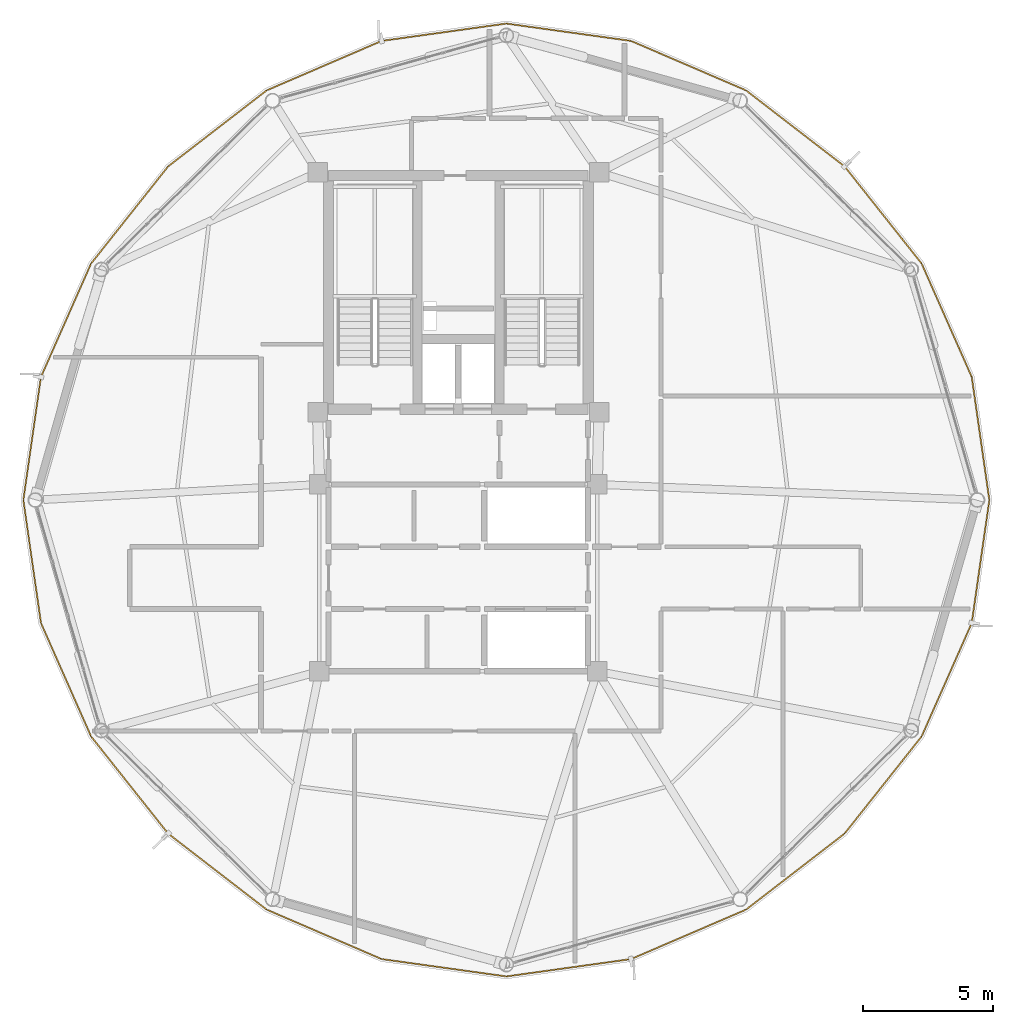
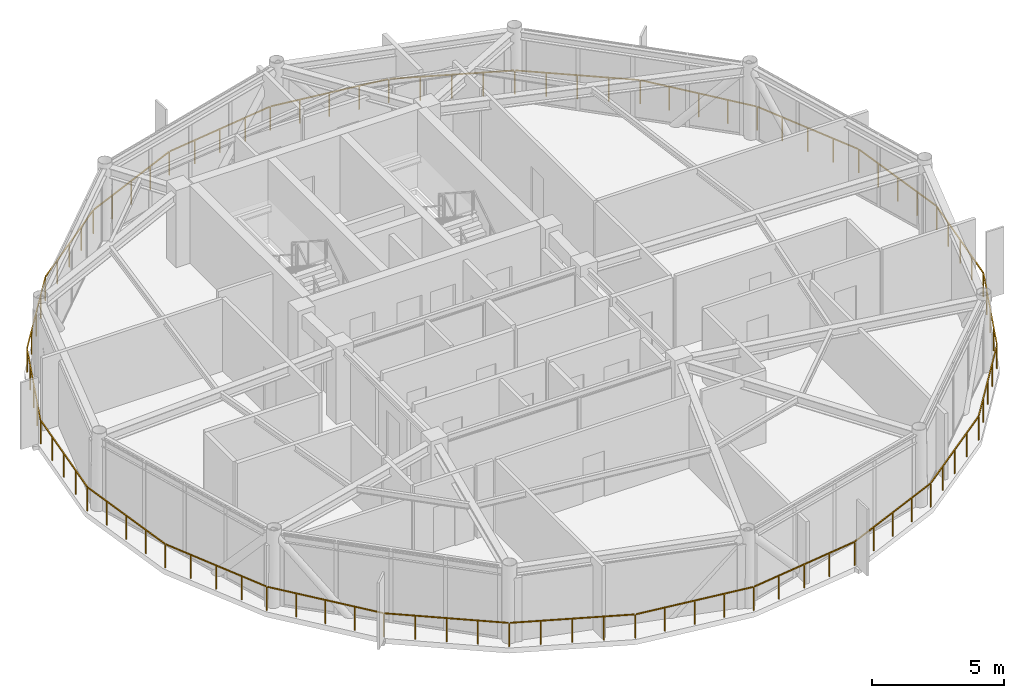
# One storey, part 25 of 26: 1 railing.
"""IFC4 building model written with IfcOpenShell, lengths in metres."""

from ifc_helpers import new_model, si_unit, direction, frame, origin, origin_2d, place, context, subcontext, project, spatial, rectangle, extrude, material, type_object, element, save


model = new_model("IFC4")

# Units and contexts
model_context = context("Model", 3, precision=1e-05, world=origin(), true_north=direction((0.0, 1.0)))
body_context = subcontext(model_context, "Body", "Model", "MODEL_VIEW")
ifc_project = project(units=[si_unit("LENGTHUNIT", "METRE"), si_unit("AREAUNIT", "SQUARE_METRE"), si_unit("VOLUMEUNIT", "CUBIC_METRE"), si_unit("PLANEANGLEUNIT", "RADIAN"), si_unit("MASSUNIT", "GRAM", prefix="KILO")], contexts=[model_context])

# Site, building, storey
site_placement = place(None, origin())
site = spatial("IfcSite", under=ifc_project, at=site_placement, CompositionType="ELEMENT")
building_placement = place(site_placement, origin())
building = spatial("IfcBuilding", under=site, at=building_placement, Name="Varnakorn Sky Granary", CompositionType="ELEMENT")
storey_placement = place(building_placement, frame((0.0, 0.0, 267.0)))
storey = spatial("IfcBuildingStorey", under=building, at=storey_placement, Name="L68", CompositionType="ELEMENT", Elevation=267.0)

# Railing
ifc_material = material(Name="Anodised Bronze Aluminium Alloy 6063-T6", Category="aluminium")
railing_type = type_object("IfcRailingType", Name="RL-BAL-1120", PredefinedType="BALUSTRADE", material=ifc_material)
railing_placement = place(storey_placement, frame((23.455078125, 0.0, 0.0)))
element("IfcRailing", 1, at=railing_placement, inside=storey, type_object=railing_type, Name="Perimeter Slab-Edge Safety Guard L68", PredefinedType="BALUSTRADE", context=body_context, shape_type="SweptSolid", body=[
    extrude(rectangle(XDim=0.048095703125, YDim=0.048095703125, at=origin_2d()), frame((-0.00390625, -0.02783203125, 1.09619140625), z_axis=(-0.141492791104, -0.98993928605, 0.0), x_axis=(0.98993928605, -0.141492791104, 0.0)), (0.0, 0.0, 1.0), 4.728759765625),
    extrude(rectangle(XDim=0.048095703125, YDim=0.048095703125, at=origin_2d()), frame((-0.688232421875, -4.76220703125, 1.09619140625), z_axis=(-0.404217532717, -0.914662881199, 0.0), x_axis=(0.914662881199, -0.404217532717, 0.0)), (0.0, 0.0, 1.0), 4.72216796875),
    extrude(rectangle(XDim=0.048095703125, YDim=0.048095703125, at=origin_2d()), frame((-2.625732421875, -9.12890625, 1.09619140625), z_axis=(-0.62131680244, -0.783559462329, 0.0), x_axis=(0.783559462329, -0.62131680244, 0.0)), (0.0, 0.0, 1.0), 4.72021484375),
    extrude(rectangle(XDim=0.048095703125, YDim=0.048095703125, at=origin_2d()), frame((-5.59814453125, -12.866455078125, 1.09619140625), z_axis=(-0.791740725892, -0.610857285267, 0.0), x_axis=(0.610857285267, -0.791740725892, 0.0)), (0.0, 0.0, 1.0), 4.73681640625),
    extrude(rectangle(XDim=0.048095703125, YDim=0.048095703125, at=origin_2d()), frame((-9.396240234375, -15.7880859375, 1.09619140625), z_axis=(-0.918610228593, -0.395164836395, 0.0), x_axis=(0.395164836395, -0.918610228593, 0.0)), (0.0, 0.0, 1.0), 4.7685546875),
    extrude(rectangle(XDim=0.048095703125, YDim=0.048095703125, at=origin_2d()), frame((-13.830322265625, -17.6875, 1.09619140625), z_axis=(-0.990451636825, -0.137860636553, 0.0), x_axis=(0.137860636553, -0.990451636825, 0.0)), (0.0, 0.0, 1.0), 4.792724609375),
    extrude(rectangle(XDim=0.048095703125, YDim=0.048095703125, at=origin_2d()), frame((-18.6328125, -18.34814453125, 1.09619140625), z_axis=(-0.990452593699, 0.13785376177, 0.0), x_axis=(-0.13785376177, -0.990452593699, 0.0)), (0.0, 0.0, 1.0), 4.79296875),
    extrude(rectangle(XDim=0.048095703125, YDim=0.048095703125, at=origin_2d()), frame((-23.433349609375, -17.672607421875, 1.09619140625), z_axis=(-0.918610228593, 0.395164836395, 0.0), x_axis=(-0.395164836395, -0.918610228593, 0.0)), (0.0, 0.0, 1.0), 4.7685546875),
    extrude(rectangle(XDim=0.048095703125, YDim=0.048095703125, at=origin_2d()), frame((-27.86181640625, -15.760009765625, 1.09619140625), z_axis=(-0.791740725892, 0.610857285267, 0.0), x_axis=(-0.610857285267, -0.791740725892, 0.0)), (0.0, 0.0, 1.0), 4.73681640625),
    extrude(rectangle(XDim=0.048095703125, YDim=0.048095703125, at=origin_2d()), frame((-31.651611328125, -12.827392578125, 1.09619140625), z_axis=(-0.62131680244, 0.783559462329, 0.0), x_axis=(-0.783559462329, -0.62131680244, 0.0)), (0.0, 0.0, 1.0), 4.72021484375),
    extrude(rectangle(XDim=0.048095703125, YDim=0.048095703125, at=origin_2d()), frame((-34.613037109375, -9.081298828125, 1.09619140625), z_axis=(-0.404217532717, 0.914662881199, 0.0), x_axis=(-0.914662881199, -0.404217532717, 0.0)), (0.0, 0.0, 1.0), 4.72216796875),
    extrude(rectangle(XDim=0.048095703125, YDim=0.048095703125, at=origin_2d()), frame((-36.537109375, -4.708740234375, 1.09619140625), z_axis=(-0.141442786929, 0.989946431897, 0.0), x_axis=(-0.989946431897, -0.141442786929, 0.0)), (0.0, 0.0, 1.0), 4.728759765625),
    extrude(rectangle(XDim=0.048095703125, YDim=0.048095703125, at=origin_2d()), frame((-37.2060546875, 0.02783203125, 1.09619140625), z_axis=(0.141442786929, 0.989946431897, 0.0), x_axis=(-0.989946431897, 0.141442786929, 0.0)), (0.0, 0.0, 1.0), 4.728759765625),
    extrude(rectangle(XDim=0.048095703125, YDim=0.048095703125, at=origin_2d()), frame((-36.52197265625, 4.76220703125, 1.09619140625), z_axis=(0.404217532717, 0.914662881199, 0.0), x_axis=(-0.914662881199, 0.404217532717, 0.0)), (0.0, 0.0, 1.0), 4.72216796875),
    extrude(rectangle(XDim=0.048095703125, YDim=0.048095703125, at=origin_2d()), frame((-34.58447265625, 9.12890625, 1.09619140625), z_axis=(0.62131680244, 0.783559462329, 0.0), x_axis=(-0.783559462329, 0.62131680244, 0.0)), (0.0, 0.0, 1.0), 4.72021484375),
    extrude(rectangle(XDim=0.048095703125, YDim=0.048095703125, at=origin_2d()), frame((-31.612060546875, 12.866455078125, 1.09619140625), z_axis=(0.791740725892, 0.610857285267, 0.0), x_axis=(-0.610857285267, 0.791740725892, 0.0)), (0.0, 0.0, 1.0), 4.73681640625),
    extrude(rectangle(XDim=0.048095703125, YDim=0.048095703125, at=origin_2d()), frame((-27.81396484375, 15.7880859375, 1.09619140625), z_axis=(0.918610228593, 0.395164836395, 0.0), x_axis=(-0.395164836395, 0.918610228593, 0.0)), (0.0, 0.0, 1.0), 4.7685546875),
    extrude(rectangle(XDim=0.048095703125, YDim=0.048095703125, at=origin_2d()), frame((-23.3798828125, 17.6875, 1.09619140625), z_axis=(0.990452593699, 0.13785376177, 0.0), x_axis=(-0.13785376177, 0.990452593699, 0.0)), (0.0, 0.0, 1.0), 4.79296875),
    extrude(rectangle(XDim=0.048095703125, YDim=0.048095703125, at=origin_2d()), frame((-18.5771484375, 18.34814453125, 1.09619140625), z_axis=(0.990451636825, -0.137860636553, 0.0), x_axis=(0.137860636553, 0.990451636825, 0.0)), (0.0, 0.0, 1.0), 4.792724609375),
    extrude(rectangle(XDim=0.048095703125, YDim=0.048095703125, at=origin_2d()), frame((-13.77685546875, 17.672607421875, 1.09619140625), z_axis=(0.918610228593, -0.395164836395, 0.0), x_axis=(0.395164836395, 0.918610228593, 0.0)), (0.0, 0.0, 1.0), 4.7685546875),
    extrude(rectangle(XDim=0.048095703125, YDim=0.048095703125, at=origin_2d()), frame((-9.348388671875, 15.760009765625, 1.09619140625), z_axis=(0.791740725892, -0.610857285267, 0.0), x_axis=(0.610857285267, 0.791740725892, 0.0)), (0.0, 0.0, 1.0), 4.73681640625),
    extrude(rectangle(XDim=0.048095703125, YDim=0.048095703125, at=origin_2d()), frame((-5.55859375, 12.827392578125, 1.09619140625), z_axis=(0.62131680244, -0.783559462329, 0.0), x_axis=(0.783559462329, 0.62131680244, 0.0)), (0.0, 0.0, 1.0), 4.72021484375),
    extrude(rectangle(XDim=0.048095703125, YDim=0.048095703125, at=origin_2d()), frame((-2.59716796875, 9.081298828125, 1.09619140625), z_axis=(0.404217532717, -0.914662881199, 0.0), x_axis=(0.914662881199, 0.404217532717, 0.0)), (0.0, 0.0, 1.0), 4.72216796875),
    extrude(rectangle(XDim=0.048095703125, YDim=0.048095703125, at=origin_2d()), frame((-0.673095703125, 4.708740234375, 1.09619140625), z_axis=(0.141492791104, -0.98993928605, 0.0), x_axis=(0.98993928605, 0.141492791104, 0.0)), (0.0, 0.0, 1.0), 4.728759765625),
    extrude(rectangle(XDim=0.0419921875, YDim=0.0419921875, at=origin_2d()), origin(), (0.0, 0.0, 1.0), 1.068115234375),
    extrude(rectangle(XDim=0.0419921875, YDim=0.0419921875, at=origin_2d()), frame((-0.169189453125, -1.18408203125, 0.0)), (0.0, 0.0, 1.0), 1.068115234375),
    extrude(rectangle(XDim=0.0419921875, YDim=0.0419921875, at=origin_2d()), frame((-0.33837890625, -2.3681640625, 0.0)), (0.0, 0.0, 1.0), 1.068115234375),
    extrude(rectangle(XDim=0.0419921875, YDim=0.0419921875, at=origin_2d()), frame((-0.5078125, -3.552490234375, 0.0)), (0.0, 0.0, 1.0), 1.068115234375),
    extrude(rectangle(XDim=0.0419921875, YDim=0.0419921875, at=origin_2d()), frame((-0.677001953125, -4.736572265625, 0.0)), (0.0, 0.0, 1.0), 1.068115234375),
    extrude(rectangle(XDim=0.0419921875, YDim=0.0419921875, at=origin_2d()), frame((-1.159912109375, -5.8291015625, 0.0)), (0.0, 0.0, 1.0), 1.068115234375),
    extrude(rectangle(XDim=0.0419921875, YDim=0.0419921875, at=origin_2d()), frame((-1.642578125, -6.921875, 0.0)), (0.0, 0.0, 1.0), 1.068115234375),
    extrude(rectangle(XDim=0.0419921875, YDim=0.0419921875, at=origin_2d()), frame((-2.12548828125, -8.014404296875, 0.0)), (0.0, 0.0, 1.0), 1.068115234375),
    extrude(rectangle(XDim=0.0419921875, YDim=0.0419921875, at=origin_2d()), frame((-2.6083984375, -9.10693359375, 0.0)), (0.0, 0.0, 1.0), 1.068115234375),
    extrude(rectangle(XDim=0.0419921875, YDim=0.0419921875, at=origin_2d()), frame((-3.350341796875, -10.04248046875, 0.0)), (0.0, 0.0, 1.0), 1.068115234375),
    extrude(rectangle(XDim=0.0419921875, YDim=0.0419921875, at=origin_2d()), frame((-4.09228515625, -10.97802734375, 0.0)), (0.0, 0.0, 1.0), 1.068115234375),
    extrude(rectangle(XDim=0.0419921875, YDim=0.0419921875, at=origin_2d()), frame((-4.833984375, -11.913818359375, 0.0)), (0.0, 0.0, 1.0), 1.068115234375),
    extrude(rectangle(XDim=0.0419921875, YDim=0.0419921875, at=origin_2d()), frame((-5.575927734375, -12.849365234375, 0.0)), (0.0, 0.0, 1.0), 1.068115234375),
    extrude(rectangle(XDim=0.0419921875, YDim=0.0419921875, at=origin_2d()), frame((-6.524658203125, -13.581298828125, 0.0)), (0.0, 0.0, 1.0), 1.068115234375),
    extrude(rectangle(XDim=0.0419921875, YDim=0.0419921875, at=origin_2d()), frame((-7.47314453125, -14.313232421875, 0.0)), (0.0, 0.0, 1.0), 1.068115234375),
    extrude(rectangle(XDim=0.0419921875, YDim=0.0419921875, at=origin_2d()), frame((-8.421875, -15.045166015625, 0.0)), (0.0, 0.0, 1.0), 1.068115234375),
    extrude(rectangle(XDim=0.0419921875, YDim=0.0419921875, at=origin_2d()), frame((-9.37060546875, -15.777099609375, 0.0)), (0.0, 0.0, 1.0), 1.068115234375),
    extrude(rectangle(XDim=0.0419921875, YDim=0.0419921875, at=origin_2d()), frame((-10.478515625, -16.253662109375, 0.0)), (0.0, 0.0, 1.0), 1.068115234375),
    extrude(rectangle(XDim=0.0419921875, YDim=0.0419921875, at=origin_2d()), frame((-11.58642578125, -16.73046875, 0.0)), (0.0, 0.0, 1.0), 1.068115234375),
    extrude(rectangle(XDim=0.0419921875, YDim=0.0419921875, at=origin_2d()), frame((-12.694580078125, -17.20703125, 0.0)), (0.0, 0.0, 1.0), 1.068115234375),
    extrude(rectangle(XDim=0.0419921875, YDim=0.0419921875, at=origin_2d()), frame((-13.802490234375, -17.68359375, 0.0)), (0.0, 0.0, 1.0), 1.068115234375),
    extrude(rectangle(XDim=0.0419921875, YDim=0.0419921875, at=origin_2d()), frame((-15.003173828125, -17.8505859375, 0.0)), (0.0, 0.0, 1.0), 1.068115234375),
    extrude(rectangle(XDim=0.0419921875, YDim=0.0419921875, at=origin_2d()), frame((-16.20361328125, -18.017822265625, 0.0)), (0.0, 0.0, 1.0), 1.068115234375),
    extrude(rectangle(XDim=0.0419921875, YDim=0.0419921875, at=origin_2d()), frame((-17.404296875, -18.18505859375, 0.0)), (0.0, 0.0, 1.0), 1.068115234375),
    extrude(rectangle(XDim=0.0419921875, YDim=0.0419921875, at=origin_2d()), frame((-18.60498046875, -18.35205078125, 0.0)), (0.0, 0.0, 1.0), 1.068115234375),
    extrude(rectangle(XDim=0.0419921875, YDim=0.0419921875, at=origin_2d()), frame((-19.8056640625, -18.18505859375, 0.0)), (0.0, 0.0, 1.0), 1.068115234375),
    extrude(rectangle(XDim=0.0419921875, YDim=0.0419921875, at=origin_2d()), frame((-21.00634765625, -18.017822265625, 0.0)), (0.0, 0.0, 1.0), 1.068115234375),
    extrude(rectangle(XDim=0.0419921875, YDim=0.0419921875, at=origin_2d()), frame((-22.20703125, -17.8505859375, 0.0)), (0.0, 0.0, 1.0), 1.068115234375),
    extrude(rectangle(XDim=0.0419921875, YDim=0.0419921875, at=origin_2d()), frame((-23.40771484375, -17.68359375, 0.0)), (0.0, 0.0, 1.0), 1.068115234375),
    extrude(rectangle(XDim=0.0419921875, YDim=0.0419921875, at=origin_2d()), frame((-24.515625, -17.20703125, 0.0)), (0.0, 0.0, 1.0), 1.068115234375),
    extrude(rectangle(XDim=0.0419921875, YDim=0.0419921875, at=origin_2d()), frame((-25.62353515625, -16.73046875, 0.0)), (0.0, 0.0, 1.0), 1.068115234375),
    extrude(rectangle(XDim=0.0419921875, YDim=0.0419921875, at=origin_2d()), frame((-26.731689453125, -16.253662109375, 0.0)), (0.0, 0.0, 1.0), 1.068115234375),
    extrude(rectangle(XDim=0.0419921875, YDim=0.0419921875, at=origin_2d()), frame((-27.839599609375, -15.777099609375, 0.0)), (0.0, 0.0, 1.0), 1.068115234375),
    extrude(rectangle(XDim=0.0419921875, YDim=0.0419921875, at=origin_2d()), frame((-28.788330078125, -15.045166015625, 0.0)), (0.0, 0.0, 1.0), 1.068115234375),
    extrude(rectangle(XDim=0.0419921875, YDim=0.0419921875, at=origin_2d()), frame((-29.73681640625, -14.313232421875, 0.0)), (0.0, 0.0, 1.0), 1.068115234375),
    extrude(rectangle(XDim=0.0419921875, YDim=0.0419921875, at=origin_2d()), frame((-30.685546875, -13.581298828125, 0.0)), (0.0, 0.0, 1.0), 1.068115234375),
    extrude(rectangle(XDim=0.0419921875, YDim=0.0419921875, at=origin_2d()), frame((-31.63427734375, -12.849365234375, 0.0)), (0.0, 0.0, 1.0), 1.068115234375),
    extrude(rectangle(XDim=0.0419921875, YDim=0.0419921875, at=origin_2d()), frame((-32.376220703125, -11.913818359375, 0.0)), (0.0, 0.0, 1.0), 1.068115234375),
    extrude(rectangle(XDim=0.0419921875, YDim=0.0419921875, at=origin_2d()), frame((-33.1181640625, -10.97802734375, 0.0)), (0.0, 0.0, 1.0), 1.068115234375),
    extrude(rectangle(XDim=0.0419921875, YDim=0.0419921875, at=origin_2d()), frame((-33.85986328125, -10.04248046875, 0.0)), (0.0, 0.0, 1.0), 1.068115234375),
    extrude(rectangle(XDim=0.0419921875, YDim=0.0419921875, at=origin_2d()), frame((-34.601806640625, -9.10693359375, 0.0)), (0.0, 0.0, 1.0), 1.068115234375),
    extrude(rectangle(XDim=0.0419921875, YDim=0.0419921875, at=origin_2d()), frame((-35.084716796875, -8.014404296875, 0.0)), (0.0, 0.0, 1.0), 1.068115234375),
    extrude(rectangle(XDim=0.0419921875, YDim=0.0419921875, at=origin_2d()), frame((-35.5673828125, -6.921875, 0.0)), (0.0, 0.0, 1.0), 1.068115234375),
    extrude(rectangle(XDim=0.0419921875, YDim=0.0419921875, at=origin_2d()), frame((-36.05029296875, -5.8291015625, 0.0)), (0.0, 0.0, 1.0), 1.068115234375),
    extrude(rectangle(XDim=0.0419921875, YDim=0.0419921875, at=origin_2d()), frame((-36.533203125, -4.736572265625, 0.0)), (0.0, 0.0, 1.0), 1.068115234375),
    extrude(rectangle(XDim=0.0419921875, YDim=0.0419921875, at=origin_2d()), frame((-36.702392578125, -3.552490234375, 0.0)), (0.0, 0.0, 1.0), 1.068115234375),
    extrude(rectangle(XDim=0.0419921875, YDim=0.0419921875, at=origin_2d()), frame((-36.87158203125, -2.3681640625, 0.0)), (0.0, 0.0, 1.0), 1.068115234375),
    extrude(rectangle(XDim=0.0419921875, YDim=0.0419921875, at=origin_2d()), frame((-37.040771484375, -1.18408203125, 0.0)), (0.0, 0.0, 1.0), 1.068115234375),
    extrude(rectangle(XDim=0.0419921875, YDim=0.0419921875, at=origin_2d()), frame((-37.2099609375, 0.0, 0.0)), (0.0, 0.0, 1.0), 1.068115234375),
    extrude(rectangle(XDim=0.0419921875, YDim=0.0419921875, at=origin_2d()), frame((-37.040771484375, 1.18408203125, 0.0)), (0.0, 0.0, 1.0), 1.068115234375),
    extrude(rectangle(XDim=0.0419921875, YDim=0.0419921875, at=origin_2d()), frame((-36.87158203125, 2.3681640625, 0.0)), (0.0, 0.0, 1.0), 1.068115234375),
    extrude(rectangle(XDim=0.0419921875, YDim=0.0419921875, at=origin_2d()), frame((-36.702392578125, 3.552490234375, 0.0)), (0.0, 0.0, 1.0), 1.068115234375),
    extrude(rectangle(XDim=0.0419921875, YDim=0.0419921875, at=origin_2d()), frame((-36.533203125, 4.736572265625, 0.0)), (0.0, 0.0, 1.0), 1.068115234375),
    extrude(rectangle(XDim=0.0419921875, YDim=0.0419921875, at=origin_2d()), frame((-36.05029296875, 5.8291015625, 0.0)), (0.0, 0.0, 1.0), 1.068115234375),
    extrude(rectangle(XDim=0.0419921875, YDim=0.0419921875, at=origin_2d()), frame((-35.5673828125, 6.921875, 0.0)), (0.0, 0.0, 1.0), 1.068115234375),
    extrude(rectangle(XDim=0.0419921875, YDim=0.0419921875, at=origin_2d()), frame((-35.084716796875, 8.014404296875, 0.0)), (0.0, 0.0, 1.0), 1.068115234375),
    extrude(rectangle(XDim=0.0419921875, YDim=0.0419921875, at=origin_2d()), frame((-34.601806640625, 9.10693359375, 0.0)), (0.0, 0.0, 1.0), 1.068115234375),
    extrude(rectangle(XDim=0.0419921875, YDim=0.0419921875, at=origin_2d()), frame((-33.85986328125, 10.04248046875, 0.0)), (0.0, 0.0, 1.0), 1.068115234375),
    extrude(rectangle(XDim=0.0419921875, YDim=0.0419921875, at=origin_2d()), frame((-33.1181640625, 10.97802734375, 0.0)), (0.0, 0.0, 1.0), 1.068115234375),
    extrude(rectangle(XDim=0.0419921875, YDim=0.0419921875, at=origin_2d()), frame((-32.376220703125, 11.913818359375, 0.0)), (0.0, 0.0, 1.0), 1.068115234375),
    extrude(rectangle(XDim=0.0419921875, YDim=0.0419921875, at=origin_2d()), frame((-31.63427734375, 12.849365234375, 0.0)), (0.0, 0.0, 1.0), 1.068115234375),
    extrude(rectangle(XDim=0.0419921875, YDim=0.0419921875, at=origin_2d()), frame((-30.685546875, 13.581298828125, 0.0)), (0.0, 0.0, 1.0), 1.068115234375),
    extrude(rectangle(XDim=0.0419921875, YDim=0.0419921875, at=origin_2d()), frame((-29.73681640625, 14.313232421875, 0.0)), (0.0, 0.0, 1.0), 1.068115234375),
    extrude(rectangle(XDim=0.0419921875, YDim=0.0419921875, at=origin_2d()), frame((-28.788330078125, 15.045166015625, 0.0)), (0.0, 0.0, 1.0), 1.068115234375),
    extrude(rectangle(XDim=0.0419921875, YDim=0.0419921875, at=origin_2d()), frame((-27.839599609375, 15.777099609375, 0.0)), (0.0, 0.0, 1.0), 1.068115234375),
    extrude(rectangle(XDim=0.0419921875, YDim=0.0419921875, at=origin_2d()), frame((-26.731689453125, 16.253662109375, 0.0)), (0.0, 0.0, 1.0), 1.068115234375),
    extrude(rectangle(XDim=0.0419921875, YDim=0.0419921875, at=origin_2d()), frame((-25.62353515625, 16.73046875, 0.0)), (0.0, 0.0, 1.0), 1.068115234375),
    extrude(rectangle(XDim=0.0419921875, YDim=0.0419921875, at=origin_2d()), frame((-24.515625, 17.20703125, 0.0)), (0.0, 0.0, 1.0), 1.068115234375),
    extrude(rectangle(XDim=0.0419921875, YDim=0.0419921875, at=origin_2d()), frame((-23.40771484375, 17.68359375, 0.0)), (0.0, 0.0, 1.0), 1.068115234375),
    extrude(rectangle(XDim=0.0419921875, YDim=0.0419921875, at=origin_2d()), frame((-22.20703125, 17.8505859375, 0.0)), (0.0, 0.0, 1.0), 1.068115234375),
    extrude(rectangle(XDim=0.0419921875, YDim=0.0419921875, at=origin_2d()), frame((-21.00634765625, 18.017822265625, 0.0)), (0.0, 0.0, 1.0), 1.068115234375),
    extrude(rectangle(XDim=0.0419921875, YDim=0.0419921875, at=origin_2d()), frame((-19.8056640625, 18.18505859375, 0.0)), (0.0, 0.0, 1.0), 1.068115234375),
    extrude(rectangle(XDim=0.0419921875, YDim=0.0419921875, at=origin_2d()), frame((-18.60498046875, 18.35205078125, 0.0)), (0.0, 0.0, 1.0), 1.068115234375),
    extrude(rectangle(XDim=0.0419921875, YDim=0.0419921875, at=origin_2d()), frame((-17.404296875, 18.18505859375, 0.0)), (0.0, 0.0, 1.0), 1.068115234375),
    extrude(rectangle(XDim=0.0419921875, YDim=0.0419921875, at=origin_2d()), frame((-16.20361328125, 18.017822265625, 0.0)), (0.0, 0.0, 1.0), 1.068115234375),
    extrude(rectangle(XDim=0.0419921875, YDim=0.0419921875, at=origin_2d()), frame((-15.003173828125, 17.8505859375, 0.0)), (0.0, 0.0, 1.0), 1.068115234375),
    extrude(rectangle(XDim=0.0419921875, YDim=0.0419921875, at=origin_2d()), frame((-13.802490234375, 17.68359375, 0.0)), (0.0, 0.0, 1.0), 1.068115234375),
    extrude(rectangle(XDim=0.0419921875, YDim=0.0419921875, at=origin_2d()), frame((-12.694580078125, 17.20703125, 0.0)), (0.0, 0.0, 1.0), 1.068115234375),
    extrude(rectangle(XDim=0.0419921875, YDim=0.0419921875, at=origin_2d()), frame((-11.58642578125, 16.73046875, 0.0)), (0.0, 0.0, 1.0), 1.068115234375),
    extrude(rectangle(XDim=0.0419921875, YDim=0.0419921875, at=origin_2d()), frame((-10.478515625, 16.253662109375, 0.0)), (0.0, 0.0, 1.0), 1.068115234375),
    extrude(rectangle(XDim=0.0419921875, YDim=0.0419921875, at=origin_2d()), frame((-9.37060546875, 15.777099609375, 0.0)), (0.0, 0.0, 1.0), 1.068115234375),
    extrude(rectangle(XDim=0.0419921875, YDim=0.0419921875, at=origin_2d()), frame((-8.421875, 15.045166015625, 0.0)), (0.0, 0.0, 1.0), 1.068115234375),
    extrude(rectangle(XDim=0.0419921875, YDim=0.0419921875, at=origin_2d()), frame((-7.47314453125, 14.313232421875, 0.0)), (0.0, 0.0, 1.0), 1.068115234375),
    extrude(rectangle(XDim=0.0419921875, YDim=0.0419921875, at=origin_2d()), frame((-6.524658203125, 13.581298828125, 0.0)), (0.0, 0.0, 1.0), 1.068115234375),
    extrude(rectangle(XDim=0.0419921875, YDim=0.0419921875, at=origin_2d()), frame((-5.575927734375, 12.849365234375, 0.0)), (0.0, 0.0, 1.0), 1.068115234375),
    extrude(rectangle(XDim=0.0419921875, YDim=0.0419921875, at=origin_2d()), frame((-4.833984375, 11.913818359375, 0.0)), (0.0, 0.0, 1.0), 1.068115234375),
    extrude(rectangle(XDim=0.0419921875, YDim=0.0419921875, at=origin_2d()), frame((-4.09228515625, 10.97802734375, 0.0)), (0.0, 0.0, 1.0), 1.068115234375),
    extrude(rectangle(XDim=0.0419921875, YDim=0.0419921875, at=origin_2d()), frame((-3.350341796875, 10.04248046875, 0.0)), (0.0, 0.0, 1.0), 1.068115234375),
    extrude(rectangle(XDim=0.0419921875, YDim=0.0419921875, at=origin_2d()), frame((-2.6083984375, 9.10693359375, 0.0)), (0.0, 0.0, 1.0), 1.068115234375),
    extrude(rectangle(XDim=0.0419921875, YDim=0.0419921875, at=origin_2d()), frame((-2.12548828125, 8.014404296875, 0.0)), (0.0, 0.0, 1.0), 1.068115234375),
    extrude(rectangle(XDim=0.0419921875, YDim=0.0419921875, at=origin_2d()), frame((-1.642578125, 6.921875, 0.0)), (0.0, 0.0, 1.0), 1.068115234375),
    extrude(rectangle(XDim=0.0419921875, YDim=0.0419921875, at=origin_2d()), frame((-1.159912109375, 5.8291015625, 0.0)), (0.0, 0.0, 1.0), 1.068115234375),
    extrude(rectangle(XDim=0.0419921875, YDim=0.0419921875, at=origin_2d()), frame((-0.677001953125, 4.736572265625, 0.0)), (0.0, 0.0, 1.0), 1.068115234375),
    extrude(rectangle(XDim=0.0419921875, YDim=0.0419921875, at=origin_2d()), frame((-0.5078125, 3.552490234375, 0.0)), (0.0, 0.0, 1.0), 1.068115234375),
    extrude(rectangle(XDim=0.0419921875, YDim=0.0419921875, at=origin_2d()), frame((-0.33837890625, 2.3681640625, 0.0)), (0.0, 0.0, 1.0), 1.068115234375),
    extrude(rectangle(XDim=0.0419921875, YDim=0.0419921875, at=origin_2d()), frame((-0.169189453125, 1.18408203125, 0.0)), (0.0, 0.0, 1.0), 1.068115234375),
])

save(model, "model.ifc")
